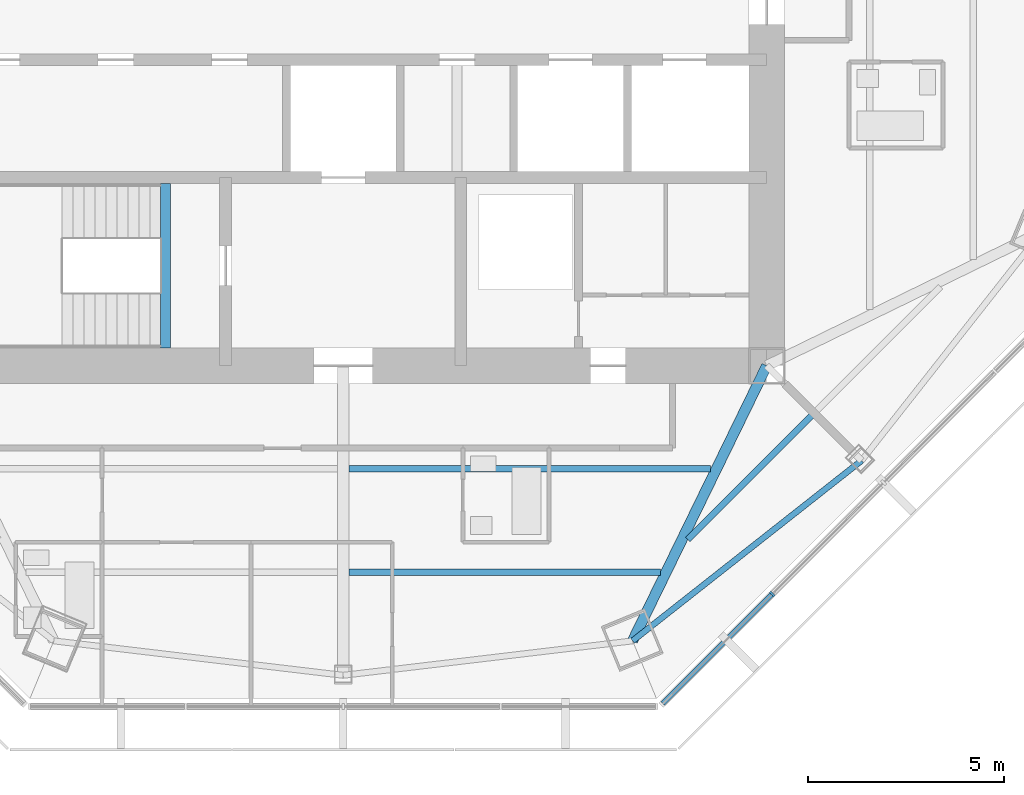
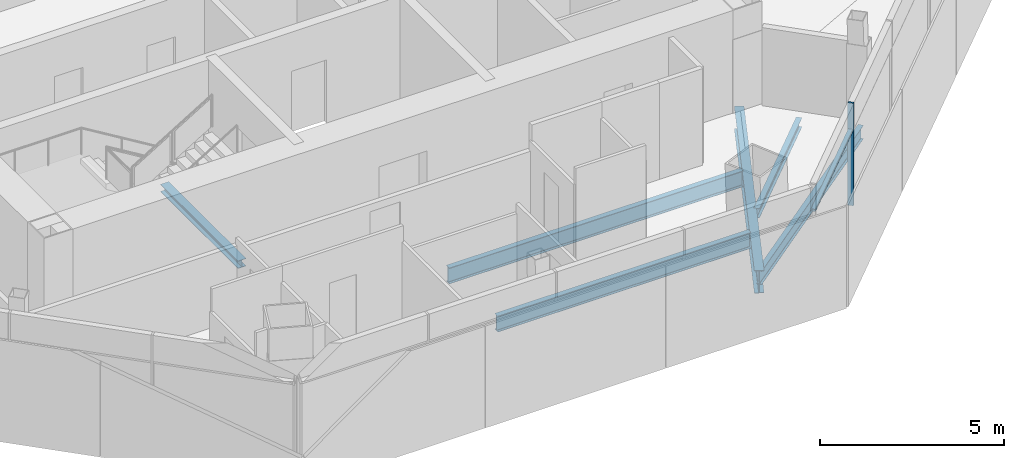
# One storey, part 3 of 15: 6 beams, 2 members, 1 element without a shape of its own.
"""IFC4 building model written with IfcOpenShell, lengths in metres."""

from ifc_helpers import new_model, si_unit, direction, frame, origin, origin_2d, place, context, subcontext, project, spatial, rectangle, i_section, extrude, source, transform, mapped, material, material_profile, profile_set, type_object, type_shapes, element, aggregate, save


model = new_model("IFC4")

# Units and contexts
model_context = context("Model", 3, precision=1e-05, world=origin(), true_north=direction((0.0, 1.0)))
body_context = subcontext(model_context, "Body", "Model", "MODEL_VIEW")
ifc_project = project(units=[si_unit("LENGTHUNIT", "METRE"), si_unit("AREAUNIT", "SQUARE_METRE"), si_unit("VOLUMEUNIT", "CUBIC_METRE"), si_unit("PLANEANGLEUNIT", "RADIAN"), si_unit("MASSUNIT", "GRAM", prefix="KILO")], contexts=[model_context])

# Site, building, storey
site_placement = place(None, origin())
site = spatial("IfcSite", under=ifc_project, at=site_placement, CompositionType="ELEMENT")
building_placement = place(site_placement, origin())
building = spatial("IfcBuilding", under=site, at=building_placement, Name="Mashrafa Tower", CompositionType="ELEMENT")
storey_placement = place(building_placement, frame((0.0, 0.0, 301.39990234375)))
storey = spatial("IfcBuildingStorey", under=building, at=storey_placement, Name="L74", CompositionType="ELEMENT", Elevation=301.39990234375)

# Beams
ifc_material_1 = material(Name="Steel ASTM A992", Category="steel")
ifc_material_profile_1 = material_profile(ifc_material_1, i_section(OverallWidth=0.164794921875, OverallDepth=0.309814453125, WebThickness=0.005859375, FlangeThickness=0.009765625, FilletRadius=0.007568359375, at=origin_2d()), Name="W12X26")
ifc_profile_set_1 = profile_set([ifc_material_profile_1], Name="Steel ASTM A992")
beam_type_1 = type_object("IfcBeamType", Name="Beam W12X26", PredefinedType="BEAM", material=ifc_profile_set_1)
beam_1_placement = place(storey_placement, frame((11.9462890625, -12.072509765625, -0.354736328125), z_axis=(-0.707106781187, -0.707106781187, 0.0), x_axis=(0.707106781187, -0.707106781187, 0.0)))
element("IfcBeam", 1, at=beam_1_placement, inside=storey, type_object=beam_type_1, Name="Floor beam L74 018", PredefinedType="BEAM", context=body_context, shape_type="SweptSolid", body=[
    extrude(i_section(OverallWidth=0.164794921875, OverallDepth=0.309814453125, WebThickness=0.005859375, FlangeThickness=0.009765625, FilletRadius=0.007568359375, at=origin_2d()), origin(), (0.0, 0.0, 1.0), 4.465576171875),
])
ifc_material_2 = material(Name="Steel ASTM A992", Category="steel")
ifc_material_profile_2 = material_profile(ifc_material_2, i_section(OverallWidth=0.15234375, OverallDepth=0.449462890625, WebThickness=0.007568359375, FlangeThickness=0.0107421875, FilletRadius=0.01025390625, at=origin_2d()), Name="W18X35")
ifc_profile_set_2 = profile_set([ifc_material_profile_2], Name="Steel ASTM A992")
beam_type_2 = type_object("IfcBeamType", Name="Beam W18X35", PredefinedType="BEAM", material=ifc_profile_set_2)
beam_2_placement = place(storey_placement, frame((7.379638671875, -17.81591796875, -0.4248046875), z_axis=(0.785710360466, 0.618594559835, 0.0), x_axis=(-0.618594559835, 0.785710360466, 0.0)))
element("IfcBeam", 2, at=beam_2_placement, inside=storey, type_object=beam_type_2, Name="Spandrel beam L74 050", PredefinedType="BEAM", context=body_context, shape_type="SweptSolid", body=[
    extrude(i_section(OverallWidth=0.15234375, OverallDepth=0.449462890625, WebThickness=0.007568359375, FlangeThickness=0.0107421875, FilletRadius=0.01025390625, at=origin_2d()), origin(), (0.0, 0.0, 1.0), 7.431640625),
])
ifc_material_3 = material(Name="Steel ASTM A992", Category="steel")
ifc_material_profile_3 = material_profile(ifc_material_3, i_section(OverallWidth=0.165771484375, OverallDepth=0.5283203125, WebThickness=0.009765625, FlangeThickness=0.013671875, FilletRadius=0.012939453125, at=origin_2d()), Name="W21X50")
ifc_profile_set_3 = profile_set([ifc_material_profile_3], Name="Steel ASTM A992")
beam_type_3 = type_object("IfcBeamType", Name="Beam W21X50", PredefinedType="BEAM", material=ifc_profile_set_3)
beam_3_placement = place(storey_placement, frame((8.0859375, -16.062744140625, -0.464111328125), z_axis=(-1.0, 0.0, 0.0), x_axis=(0.0, -1.0, 0.0)))
element("IfcBeam", 3, at=beam_3_placement, inside=storey, type_object=beam_type_3, Name="Floor beam L74 015", PredefinedType="BEAM", context=body_context, shape_type="SweptSolid", body=[
    extrude(i_section(OverallWidth=0.165771484375, OverallDepth=0.5283203125, WebThickness=0.009765625, FlangeThickness=0.013671875, FilletRadius=0.012939453125, at=origin_2d()), origin(), (0.0, 0.0, 1.0), 7.93994140625),
])
beam_4_placement = place(storey_placement, frame((9.368896484375, -13.431396484375, -0.464111328125), z_axis=(-1.0, 0.0, 0.0), x_axis=(0.0, -1.0, 0.0)))
element("IfcBeam", 4, at=beam_4_placement, inside=storey, type_object=beam_type_3, Name="Floor beam L74 017", PredefinedType="BEAM", context=body_context, shape_type="SweptSolid", body=[
    extrude(i_section(OverallWidth=0.165771484375, OverallDepth=0.5283203125, WebThickness=0.009765625, FlangeThickness=0.013671875, FilletRadius=0.012939453125, at=origin_2d()), origin(), (0.0, 0.0, 1.0), 9.222900390625),
])
ifc_material_4 = material(Name="Steel ASTM A992", Category="steel")
ifc_material_profile_4 = material_profile(ifc_material_4, i_section(OverallWidth=0.2666015625, OverallDepth=0.75439453125, WebThickness=0.01318359375, FlangeThickness=0.01708984375, FilletRadius=0.0166015625, at=origin_2d()), Name="W30X99")
ifc_profile_set_4 = profile_set([ifc_material_profile_4], Name="Steel ASTM A992")
beam_type_4 = type_object("IfcBeamType", Name="Beam W30X99", PredefinedType="BEAM", material=ifc_profile_set_4)
beam_5_placement = place(storey_placement, frame((10.800048828125, -10.800048828125, -0.5771484375), z_axis=(-0.438220254011, -0.898867625946, 0.0), x_axis=(0.898867625946, -0.438220254011, 0.0)))
element("IfcBeam", 5, at=beam_5_placement, inside=storey, type_object=beam_type_4, Name="Radial girder L74 034", PredefinedType="BEAM", context=body_context, shape_type="SweptSolid", body=[
    extrude(i_section(OverallWidth=0.2666015625, OverallDepth=0.75439453125, WebThickness=0.01318359375, FlangeThickness=0.01708984375, FilletRadius=0.0166015625, at=origin_2d()), origin(), (0.0, 0.0, 1.0), 7.80517578125),
])
ifc_material_5 = material(Name="Steel ASTM A992", Category="steel")
ifc_material_profile_5 = material_profile(ifc_material_5, i_section(OverallWidth=0.25390625, OverallDepth=0.25390625, WebThickness=0.008544921875, FlangeThickness=0.01416015625, FilletRadius=0.010009765625, at=origin_2d()), Name="W10X49")
ifc_profile_set_5 = profile_set([ifc_material_profile_5], Name="Steel ASTM A992")
beam_type_5 = type_object("IfcBeamType", Name="Hoistway beam W10X49", PredefinedType="BEAM", material=ifc_profile_set_5)
beam_6_placement = place(storey_placement, frame((-4.530029296875, -10.35009765625, -0.326904296875), z_axis=(0.0, 1.0, 0.0), x_axis=(-1.0, 0.0, 0.0)))
element("IfcBeam", 6, at=beam_6_placement, inside=storey, type_object=beam_type_5, Name="Stair S3 landing beam L74", PredefinedType="BEAM", context=body_context, shape_type="SweptSolid", body=[
    extrude(i_section(OverallWidth=0.25390625, OverallDepth=0.25390625, WebThickness=0.008544921875, FlangeThickness=0.01416015625, FilletRadius=0.010009765625, at=origin_2d()), origin(), (0.0, 0.0, 1.0), 4.2001953125),
])

# Curtain wall, members
ifc_material_6 = material(Name="Unitised aluminium curtain wall", Category="aluminium")
curtain_wall_type = type_object("IfcCurtainWallType", Name="Apartment curtain wall, zone 4 CW-D 160 deep", PredefinedType="NOTDEFINED", material=ifc_material_6)
curtain_wall_placement = place(storey_placement, origin())
curtain_wall = element("IfcCurtainWall", 7, at=curtain_wall_placement, inside=storey, type_object=curtain_wall_type, Name="Apartment curtain wall, zone 4 L74 south-east", PredefinedType="NOTDEFINED")
ifc_material_7 = material(Name="Extruded aluminium mullion", Category="aluminium")
ifc_material_profile_6 = material_profile(ifc_material_7, rectangle(XDim=0.159912109375, YDim=0.06005859375, at=origin_2d()), Name="Mullion 60x160")
ifc_profile_set_6 = profile_set([ifc_material_profile_6], Name="Extruded aluminium mullion")
member_type_1 = type_object("IfcMemberType", Name="Mullion CW-D 60 x 160", PredefinedType="MULLION", material=ifc_profile_set_6)
shared_shape_1 = source(origin(), body_context, "Body", "SweptSolid", [
    extrude(rectangle(XDim=0.159912109375, YDim=0.06005859375, at=origin_2d()), origin(), (0.0, 0.0, 1.0), 3.400146484375),
])
type_shapes(member_type_1, [shared_shape_1])
member_1_placement = place(storey_placement, frame((10.941650390625, -16.619140625, 0.0), z_axis=(0.0, 0.0, 1.0), x_axis=(-0.707106781187, 0.707106781187, 0.0)))
member_1 = element("IfcMember", 8, at=member_1_placement, type_object=member_type_1, Name="CW-D mullion 2", PredefinedType="MULLION", context=body_context, shape_type="MappedRepresentation", body=[
    mapped(shared_shape_1, transform((0.0, 0.0, 0.0))),
])
ifc_material_8 = material(Name="Extruded aluminium transom", Category="aluminium")
ifc_material_profile_7 = material_profile(ifc_material_8, rectangle(XDim=0.1279296875, YDim=0.074951171875, at=origin_2d()), Name="Transom 75x128")
ifc_profile_set_7 = profile_set([ifc_material_profile_7], Name="Extruded aluminium transom")
member_type_2 = type_object("IfcMemberType", Name="Transom CW-D 75 x 128", PredefinedType="MULLION", material=ifc_profile_set_7)
shared_shape_2 = source(origin(), body_context, "Body", "SweptSolid", [
    extrude(rectangle(XDim=0.1279296875, YDim=0.074951171875, at=origin_2d()), origin(), (0.0, 0.0, 1.0), 3.924560546875),
])
type_shapes(member_type_2, [shared_shape_2])
member_2_placement = place(storey_placement, frame((8.145263671875, -19.41552734375, 2.5), z_axis=(0.707106781187, 0.707106781187, 0.0), x_axis=(-0.707106781187, 0.707106781187, 0.0)))
member_2 = element("IfcMember", 9, at=member_2_placement, type_object=member_type_2, Name="CW-D transom 1", PredefinedType="MULLION", context=body_context, shape_type="MappedRepresentation", body=[
    mapped(shared_shape_2, transform((0.0, 0.0, 0.0))),
])
aggregate(curtain_wall, [member_1, member_2])

save(model, "model.ifc")
